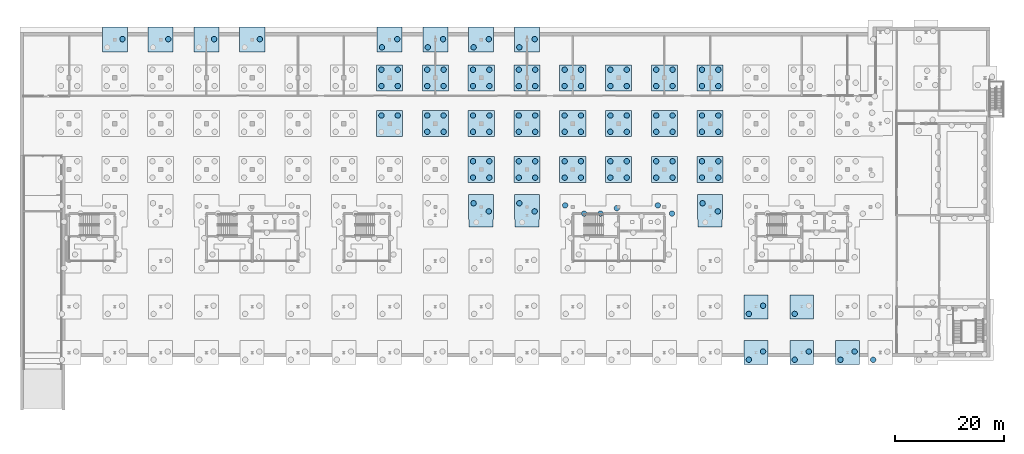
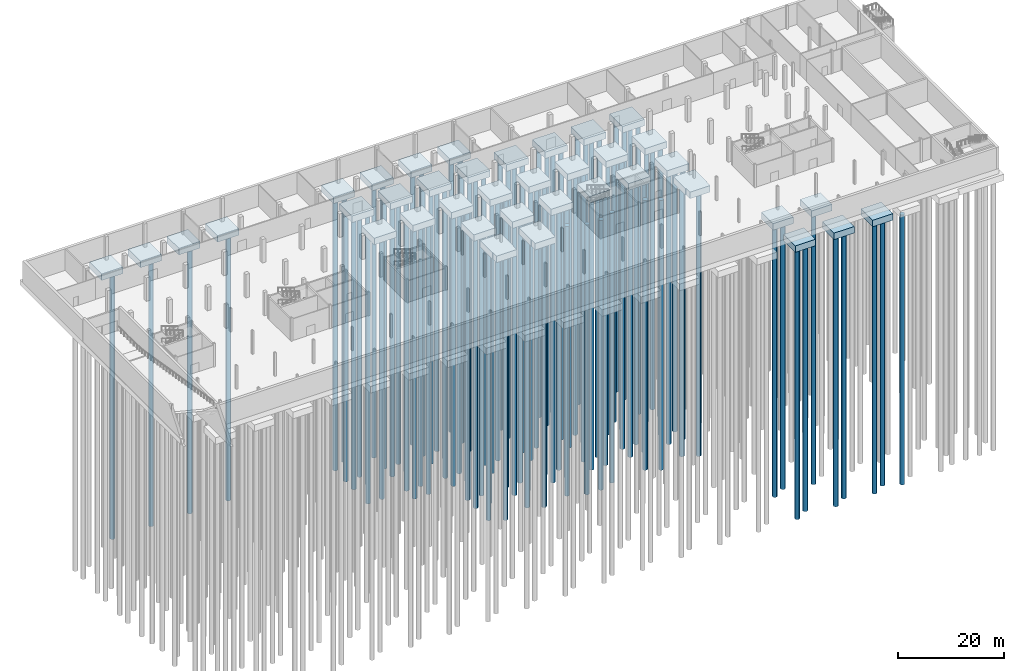
# One storey, part 3 of 29: 120 piles, 38 footings.
"""IFC4 building model written with IfcOpenShell, lengths in metres."""

from ifc_helpers import new_model, si_unit, direction, frame, origin, origin_2d, place, context, subcontext, project, spatial, polyline, circle, outline, extrude, material, type_object, element, save


model = new_model("IFC4")

# Units and contexts
model_context = context("Model", 3, precision=1e-05, world=origin(), true_north=direction((0.0, 1.0)))
body_context = subcontext(model_context, "Body", "Model", "MODEL_VIEW")
ifc_project = project(units=[si_unit("LENGTHUNIT", "METRE"), si_unit("AREAUNIT", "SQUARE_METRE"), si_unit("VOLUMEUNIT", "CUBIC_METRE"), si_unit("PLANEANGLEUNIT", "RADIAN"), si_unit("MASSUNIT", "GRAM", prefix="KILO")], contexts=[model_context])

# Site, building, storey
site_placement = place(None, origin())
site = spatial("IfcSite", under=ifc_project, at=site_placement, CompositionType="ELEMENT")
building_placement = place(site_placement, origin())
building = spatial("IfcBuilding", under=site, at=building_placement, Name="Cresset Court Congress Hotel", CompositionType="ELEMENT")
storey_placement = place(building_placement, frame((0.0, 0.0, -5.39990234375)))
storey = spatial("IfcBuildingStorey", under=building, at=storey_placement, Name="B1", CompositionType="ELEMENT", Elevation=-5.39990234375)

# Piles
ifc_material_1 = material(Name="Concrete C35", Category="concrete")
pile_type = type_object("IfcPileType", Name="Bored pile D1000", PredefinedType="BORED", material=ifc_material_1)
for number, where, z_axis, x_axis, name in (
    (1, (18.199951171875, 57.5, -2.60009765625), (0.0, 0.0, -1.0), (1.0, 0.0, 0.0), "Pile 010-2"),
    (2, (26.60009765625, 57.5, -2.60009765625), (0.0, 0.0, -1.0), (1.0, 0.0, 0.0), "Pile 017-2"),
    (3, (35.0, 57.5, -2.60009765625), (0.0, 0.0, -1.0), (1.0, 0.0, 0.0), "Pile 025-2"),
    (4, (43.39990234375, 57.5, -2.60009765625), (0.0, 0.0, -1.0), (1.0, 0.0, 0.0), "Pile 031-2"),
    (5, (65.699951171875, 43.5, -2.60009765625), (0.0, 0.0, -1.0), (1.0, 0.0, 0.0), "Pile 046-3"),
    (6, (68.699951171875, 43.5, -2.60009765625), (0.0, 0.0, -1.0), (1.0, 0.0, 0.0), "Pile 046-4"),
    (7, (65.699951171875, 48.89990234375, -2.60009765625), (0.0, 0.0, -1.0), (1.0, 0.0, 0.0), "Pile 047-1"),
    (8, (68.699951171875, 48.89990234375, -2.60009765625), (0.0, 0.0, -1.0), (1.0, 0.0, 0.0), "Pile 047-2"),
    (9, (65.699951171875, 51.89990234375, -2.60009765625), (0.0, 0.0, -1.0), (1.0, 0.0, 0.0), "Pile 047-3"),
    (10, (68.699951171875, 51.89990234375, -2.60009765625), (0.0, 0.0, -1.0), (1.0, 0.0, 0.0), "Pile 047-4"),
    (11, (65.800048828125, 56.0, -2.60009765625), (0.0, 0.0, -1.0), (1.0, 0.0, 0.0), "Pile 048-1"),
    (12, (68.60009765625, 57.5, -2.60009765625), (0.0, 0.0, -1.0), (1.0, 0.0, 0.0), "Pile 048-2"),
    (13, (74.10009765625, 40.5, -2.60009765625), (0.0, 0.0, -1.0), (1.0, 0.0, 0.0), "Pile 052-1"),
    (14, (77.10009765625, 40.5, -2.60009765625), (0.0, 0.0, -1.0), (1.0, 0.0, 0.0), "Pile 052-2"),
    (15, (74.10009765625, 43.5, -2.60009765625), (0.0, 0.0, -1.0), (1.0, 0.0, 0.0), "Pile 052-3"),
    (16, (77.10009765625, 43.5, -2.60009765625), (0.0, 0.0, -1.0), (1.0, 0.0, 0.0), "Pile 052-4"),
    (17, (74.10009765625, 48.89990234375, -2.60009765625), (0.0, 0.0, -1.0), (1.0, 0.0, 0.0), "Pile 053-1"),
    (18, (77.10009765625, 48.89990234375, -2.60009765625), (0.0, 0.0, -1.0), (1.0, 0.0, 0.0), "Pile 053-2"),
    (19, (74.10009765625, 51.89990234375, -2.60009765625), (0.0, 0.0, -1.0), (1.0, 0.0, 0.0), "Pile 053-3"),
    (20, (77.10009765625, 51.89990234375, -2.60009765625), (0.0, 0.0, -1.0), (1.0, 0.0, 0.0), "Pile 053-4"),
    (21, (74.199951171875, 56.0, -2.60009765625), (0.0, 0.0, -1.0), (1.0, 0.0, 0.0), "Pile 055-1"),
    (22, (77.0, 57.5, -2.60009765625), (0.0, 0.0, -1.0), (1.0, 0.0, 0.0), "Pile 055-2"),
    (23, (82.5, 32.10009765625, -2.60009765625), (0.0, 0.0, -1.0), (1.0, 0.0, 0.0), "Pile 059-1"),
    (24, (85.5, 32.10009765625, -2.60009765625), (0.0, 0.0, -1.0), (1.0, 0.0, 0.0), "Pile 059-2"),
    (25, (82.5, 35.10009765625, -2.60009765625), (0.0, 0.0, -1.0), (1.0, 0.0, 0.0), "Pile 059-3"),
    (26, (85.5, 35.10009765625, -2.60009765625), (0.0, 0.0, -1.0), (1.0, 0.0, 0.0), "Pile 059-4"),
    (27, (82.5, 40.5, -2.60009765625), (0.0, 0.0, -1.0), (1.0, 0.0, 0.0), "Pile 060-1"),
    (28, (85.5, 40.5, -2.60009765625), (0.0, 0.0, -1.0), (1.0, 0.0, 0.0), "Pile 060-2"),
    (29, (82.5, 43.5, -2.60009765625), (0.0, 0.0, -1.0), (1.0, 0.0, 0.0), "Pile 060-3"),
    (30, (85.5, 43.5, -2.60009765625), (0.0, 0.0, -1.0), (1.0, 0.0, 0.0), "Pile 060-4"),
    (31, (82.5, 48.89990234375, -2.60009765625), (0.0, 0.0, -1.0), (1.0, 0.0, 0.0), "Pile 061-1"),
    (32, (85.5, 48.89990234375, -2.60009765625), (0.0, 0.0, -1.0), (1.0, 0.0, 0.0), "Pile 061-2"),
    (33, (82.5, 51.89990234375, -2.60009765625), (0.0, 0.0, -1.0), (1.0, 0.0, 0.0), "Pile 061-3"),
    (34, (85.5, 51.89990234375, -2.60009765625), (0.0, 0.0, -1.0), (1.0, 0.0, 0.0), "Pile 061-4"),
    (35, (85.39990234375, 25.89990234375, -2.60009765625), (0.0, 0.0, -1.0), (1.0, 0.0, 0.0), "Pile 062-2"),
    (36, (82.60009765625, 27.39990234375, -2.60009765625), (0.0, 0.0, -1.0), (1.0, 0.0, 0.0), "Pile 062-3"),
    (37, (82.60009765625, 56.0, -2.60009765625), (0.0, 0.0, -1.0), (1.0, 0.0, 0.0), "Pile 063-1"),
    (38, (85.39990234375, 57.5, -2.60009765625), (0.0, 0.0, -1.0), (1.0, 0.0, 0.0), "Pile 063-2"),
    (39, (90.89990234375, 32.10009765625, -2.60009765625), (0.0, 0.0, -1.0), (1.0, 0.0, 0.0), "Pile 067-1"),
    (40, (93.89990234375, 32.10009765625, -2.60009765625), (0.0, 0.0, -1.0), (1.0, 0.0, 0.0), "Pile 067-2"),
    (41, (90.89990234375, 35.10009765625, -2.60009765625), (0.0, 0.0, -1.0), (1.0, 0.0, 0.0), "Pile 067-3"),
    (42, (93.89990234375, 35.10009765625, -2.60009765625), (0.0, 0.0, -1.0), (1.0, 0.0, 0.0), "Pile 067-4"),
    (43, (90.89990234375, 40.5, -2.60009765625), (0.0, 0.0, -1.0), (1.0, 0.0, 0.0), "Pile 068-1"),
    (44, (93.89990234375, 40.5, -2.60009765625), (0.0, 0.0, -1.0), (1.0, 0.0, 0.0), "Pile 068-2"),
    (45, (90.89990234375, 43.5, -2.60009765625), (0.0, 0.0, -1.0), (1.0, 0.0, 0.0), "Pile 068-3"),
    (46, (93.89990234375, 43.5, -2.60009765625), (0.0, 0.0, -1.0), (1.0, 0.0, 0.0), "Pile 068-4"),
    (47, (90.89990234375, 48.89990234375, -2.60009765625), (0.0, 0.0, -1.0), (1.0, 0.0, 0.0), "Pile 069-1"),
    (48, (93.89990234375, 48.89990234375, -2.60009765625), (0.0, 0.0, -1.0), (1.0, 0.0, 0.0), "Pile 069-2"),
    (49, (90.89990234375, 51.89990234375, -2.60009765625), (0.0, 0.0, -1.0), (1.0, 0.0, 0.0), "Pile 069-3"),
    (50, (93.89990234375, 51.89990234375, -2.60009765625), (0.0, 0.0, -1.0), (1.0, 0.0, 0.0), "Pile 069-4"),
    (51, (93.800048828125, 25.89990234375, -2.60009765625), (0.0, 0.0, -1.0), (1.0, 0.0, 0.0), "Pile 070-2"),
    (52, (91.0, 27.39990234375, -2.60009765625), (0.0, 0.0, -1.0), (1.0, 0.0, 0.0), "Pile 070-3"),
    (53, (91.0, 56.0, -2.60009765625), (0.0, 0.0, -1.0), (1.0, 0.0, 0.0), "Pile 071-1"),
    (54, (93.800048828125, 57.5, -2.60009765625), (0.0, 0.0, -1.0), (1.0, 0.0, 0.0), "Pile 071-2"),
    (55, (99.300048828125, 32.10009765625, -2.60009765625), (0.0, 0.0, -1.0), (1.0, 0.0, 0.0), "Pile 075-1"),
    (56, (102.300048828125, 32.10009765625, -2.60009765625), (0.0, 0.0, -1.0), (1.0, 0.0, 0.0), "Pile 075-2"),
    (57, (99.300048828125, 35.10009765625, -2.60009765625), (0.0, 0.0, -1.0), (1.0, 0.0, 0.0), "Pile 075-3"),
    (58, (102.300048828125, 35.10009765625, -2.60009765625), (0.0, 0.0, -1.0), (1.0, 0.0, 0.0), "Pile 075-4"),
    (59, (99.300048828125, 40.5, -2.60009765625), (0.0, 0.0, -1.0), (1.0, 0.0, 0.0), "Pile 076-1"),
    (60, (102.300048828125, 40.5, -2.60009765625), (0.0, 0.0, -1.0), (1.0, 0.0, 0.0), "Pile 076-2"),
    (61, (99.300048828125, 43.5, -2.60009765625), (0.0, 0.0, -1.0), (1.0, 0.0, 0.0), "Pile 076-3"),
    (62, (102.300048828125, 43.5, -2.60009765625), (0.0, 0.0, -1.0), (1.0, 0.0, 0.0), "Pile 076-4"),
    (63, (99.300048828125, 48.89990234375, -2.60009765625), (0.0, 0.0, -1.0), (1.0, 0.0, 0.0), "Pile 077-1"),
    (64, (102.300048828125, 48.89990234375, -2.60009765625), (0.0, 0.0, -1.0), (1.0, 0.0, 0.0), "Pile 077-2"),
    (65, (99.300048828125, 51.89990234375, -2.60009765625), (0.0, 0.0, -1.0), (1.0, 0.0, 0.0), "Pile 077-3"),
    (66, (102.300048828125, 51.89990234375, -2.60009765625), (0.0, 0.0, -1.0), (1.0, 0.0, 0.0), "Pile 077-4"),
    (67, (102.89990234375, 25.5, -2.60009765625), (0.0, 0.0, -1.0), (1.0, 0.0, 0.0), "Pile 078-16"),
    (68, (105.89990234375, 25.5, -2.60009765625), (0.0, 0.0, -1.0), (1.0, 0.0, 0.0), "Pile 078-17"),
    (69, (119.0, 25.5, -2.60009765625), (0.0, 0.0, -1.0), (1.0, 0.0, 0.0), "Pile 078-18"),
    (70, (108.89990234375, 26.5, -2.60009765625), (0.0, 0.0, -1.0), (1.0, 0.0, 0.0), "Pile 078-19"),
    (71, (99.39990234375, 27.0, -2.60009765625), (0.0, 0.0, -1.0), (1.0, 0.0, 0.0), "Pile 078-20"),
    (72, (116.39990234375, 27.0, -2.60009765625), (0.0, 0.0, -1.0), (1.0, 0.0, 0.0), "Pile 078-21"),
    (73, (107.699951171875, 32.10009765625, -2.60009765625), (0.0, 0.0, -1.0), (1.0, 0.0, 0.0), "Pile 081-1"),
    (74, (110.699951171875, 32.10009765625, -2.60009765625), (0.0, 0.0, -1.0), (1.0, 0.0, 0.0), "Pile 081-2"),
    (75, (107.699951171875, 35.10009765625, -2.60009765625), (0.0, 0.0, -1.0), (1.0, 0.0, 0.0), "Pile 081-3"),
    (76, (110.699951171875, 35.10009765625, -2.60009765625), (0.0, 0.0, -1.0), (1.0, 0.0, 0.0), "Pile 081-4"),
    (77, (107.699951171875, 40.5, -2.60009765625), (0.0, 0.0, -1.0), (1.0, 0.0, 0.0), "Pile 082-1"),
    (78, (110.699951171875, 40.5, -2.60009765625), (0.0, 0.0, -1.0), (1.0, 0.0, 0.0), "Pile 082-2"),
    (79, (107.699951171875, 43.5, -2.60009765625), (0.0, 0.0, -1.0), (1.0, 0.0, 0.0), "Pile 082-3"),
    (80, (110.699951171875, 43.5, -2.60009765625), (0.0, 0.0, -1.0), (1.0, 0.0, 0.0), "Pile 082-4"),
    (81, (107.699951171875, 48.89990234375, -2.60009765625), (0.0, 0.0, -1.0), (1.0, 0.0, 0.0), "Pile 083-1"),
    (82, (110.699951171875, 48.89990234375, -2.60009765625), (0.0, 0.0, -1.0), (1.0, 0.0, 0.0), "Pile 083-2"),
    (83, (107.699951171875, 51.89990234375, -2.60009765625), (0.0, 0.0, -1.0), (1.0, 0.0, 0.0), "Pile 083-3"),
    (84, (110.699951171875, 51.89990234375, -2.60009765625), (0.0, 0.0, -1.0), (1.0, 0.0, 0.0), "Pile 083-4"),
    (85, (116.10009765625, 32.10009765625, -2.60009765625), (0.0, 0.0, -1.0), (1.0, 0.0, 0.0), "Pile 086-1"),
    (86, (119.10009765625, 32.10009765625, -2.60009765625), (0.0, 0.0, -1.0), (1.0, 0.0, 0.0), "Pile 086-2"),
    (87, (116.10009765625, 35.10009765625, -2.60009765625), (0.0, 0.0, -1.0), (1.0, 0.0, 0.0), "Pile 086-3"),
    (88, (119.10009765625, 35.10009765625, -2.60009765625), (0.0, 0.0, -1.0), (1.0, 0.0, 0.0), "Pile 086-4"),
    (89, (116.10009765625, 40.5, -2.60009765625), (0.0, 0.0, -1.0), (1.0, 0.0, 0.0), "Pile 087-1"),
    (90, (119.10009765625, 40.5, -2.60009765625), (0.0, 0.0, -1.0), (1.0, 0.0, 0.0), "Pile 087-2"),
    (91, (116.10009765625, 43.5, -2.60009765625), (0.0, 0.0, -1.0), (1.0, 0.0, 0.0), "Pile 087-3"),
    (92, (119.10009765625, 43.5, -2.60009765625), (0.0, 0.0, -1.0), (1.0, 0.0, 0.0), "Pile 087-4"),
    (93, (116.10009765625, 48.89990234375, -2.60009765625), (0.0, 0.0, -1.0), (1.0, 0.0, 0.0), "Pile 088-1"),
    (94, (119.10009765625, 48.89990234375, -2.60009765625), (0.0, 0.0, -1.0), (1.0, 0.0, 0.0), "Pile 088-2"),
    (95, (116.10009765625, 51.89990234375, -2.60009765625), (0.0, 0.0, -1.0), (1.0, 0.0, 0.0), "Pile 088-3"),
    (96, (119.10009765625, 51.89990234375, -2.60009765625), (0.0, 0.0, -1.0), (1.0, 0.0, 0.0), "Pile 088-4"),
    (97, (124.5, 32.10009765625, -2.60009765625), (0.0, 0.0, -1.0), (1.0, 0.0, 0.0), "Pile 091-1"),
    (98, (127.5, 32.10009765625, -2.60009765625), (0.0, 0.0, -1.0), (1.0, 0.0, 0.0), "Pile 091-2"),
    (99, (124.5, 35.10009765625, -2.60009765625), (0.0, 0.0, -1.0), (1.0, 0.0, 0.0), "Pile 091-3"),
    (100, (127.5, 35.10009765625, -2.60009765625), (0.0, 0.0, -1.0), (1.0, 0.0, 0.0), "Pile 091-4"),
    (101, (124.5, 40.5, -2.60009765625), (0.0, 0.0, -1.0), (1.0, 0.0, 0.0), "Pile 092-1"),
    (102, (127.5, 40.5, -2.60009765625), (0.0, 0.0, -1.0), (1.0, 0.0, 0.0), "Pile 092-2"),
    (103, (124.5, 43.5, -2.60009765625), (0.0, 0.0, -1.0), (1.0, 0.0, 0.0), "Pile 092-3"),
    (104, (127.5, 43.5, -2.60009765625), (0.0, 0.0, -1.0), (1.0, 0.0, 0.0), "Pile 092-4"),
    (105, (124.5, 48.89990234375, -2.60009765625), (0.0, 0.0, -1.0), (1.0, 0.0, 0.0), "Pile 093-1"),
    (106, (127.5, 48.89990234375, -2.60009765625), (0.0, 0.0, -1.0), (1.0, 0.0, 0.0), "Pile 093-2"),
    (107, (124.5, 51.89990234375, -2.60009765625), (0.0, 0.0, -1.0), (1.0, 0.0, 0.0), "Pile 093-3"),
    (108, (127.5, 51.89990234375, -2.60009765625), (0.0, 0.0, -1.0), (1.0, 0.0, 0.0), "Pile 093-4"),
    (109, (127.39990234375, 25.89990234375, -2.60009765625), (0.0, 0.0, -1.0), (1.0, 0.0, 0.0), "Pile 094-2"),
    (110, (124.60009765625, 27.39990234375, -2.60009765625), (0.0, 0.0, -1.0), (1.0, 0.0, 0.0), "Pile 094-3"),
    (111, (133.10009765625, -1.300048828125, -2.60009765625), (0.0, 0.0, -1.0), (1.0, 0.0, 0.0), "Pile 102-1"),
    (112, (135.699951171875, 0.199951171875, -2.60009765625), (0.0, 0.0, -1.0), (1.0, 0.0, 0.0), "Pile 102-2"),
    (113, (133.10009765625, 7.10009765625, -2.60009765625), (0.0, 0.0, -1.0), (1.0, 0.0, 0.0), "Pile 103-1"),
    (114, (135.699951171875, 8.60009765625, -2.60009765625), (0.0, 0.0, -1.0), (1.0, 0.0, 0.0), "Pile 103-2"),
    (115, (141.5, -1.300048828125, -2.60009765625), (0.0, 0.0, -1.0), (1.0, 0.0, 0.0), "Pile 107-1"),
    (116, (144.10009765625, 0.199951171875, -2.60009765625), (0.0, 0.0, -1.0), (1.0, 0.0, 0.0), "Pile 107-2"),
    (117, (141.5, 7.10009765625, -2.60009765625), (0.0, 0.0, -1.0), (1.0, 0.0, 0.0), "Pile 108-1"),
    (118, (149.89990234375, -1.300048828125, -2.60009765625), (0.0, 0.0, -1.0), (1.0, 0.0, 0.0), "Pile 111-1"),
    (119, (152.5, 0.199951171875, -2.60009765625), (0.0, 0.0, -1.0), (1.0, 0.0, 0.0), "Pile 111-2"),
    (120, (155.896484375, -1.31396484375, -2.60009765625), (0.0, 0.0, -1.0), (1.0, 0.0, 0.0), "Pile 113-1"),
):
    element("IfcPile", number, at=place(storey_placement, frame(where, z_axis=z_axis, x_axis=x_axis)), inside=storey, type_object=pile_type, Name=name, PredefinedType="BORED", context=body_context, shape_type="SweptSolid", body=[
        extrude(circle(Radius=0.5, at=origin_2d()), origin(), (0.0, 0.0, 1.0), 62.0),
    ])

# Footings
ifc_material_2 = material(Name="Concrete C35", Category="concrete")
footing_type_1 = type_object("IfcFootingType", Name="Pile cap 4.4x4.4, 2 piles", PredefinedType="PILE_CAP", material=ifc_material_2)
footing_1_placement = place(storey_placement, frame((0.0, 0.0, -2.7001953125)))
element("IfcFooting", 121, at=footing_1_placement, inside=storey, type_object=footing_type_1, Name="Pile cap PC102", PredefinedType="PILE_CAP", context=body_context, shape_type="SweptSolid", body=[
    extrude(outline(polyline([(136.60009765625, -2.199951171875), (132.199951171875, -2.199951171875), (132.199951171875, 2.199951171875), (136.60009765625, 2.199951171875), (136.60009765625, -2.199951171875)])), origin(), (0.0, 0.0, 1.0), 1.5),
])
footing_2_placement = place(storey_placement, frame((0.0, 0.0, -2.7001953125)))
element("IfcFooting", 122, at=footing_2_placement, inside=storey, type_object=footing_type_1, Name="Pile cap PC103", PredefinedType="PILE_CAP", context=body_context, shape_type="SweptSolid", body=[
    extrude(outline(polyline([(136.60009765625, 10.60009765625), (136.60009765625, 6.199951171875), (132.199951171875, 6.199951171875), (132.199951171875, 10.60009765625), (136.60009765625, 10.60009765625)])), origin(), (0.0, 0.0, 1.0), 1.5),
])
footing_3_placement = place(storey_placement, frame((0.0, 0.0, -2.7001953125)))
element("IfcFooting", 123, at=footing_3_placement, inside=storey, type_object=footing_type_1, Name="Pile cap PC107", PredefinedType="PILE_CAP", context=body_context, shape_type="SweptSolid", body=[
    extrude(outline(polyline([(145.0, -2.199951171875), (140.60009765625, -2.199951171875), (140.60009765625, 2.199951171875), (145.0, 2.199951171875), (145.0, -2.199951171875)])), origin(), (0.0, 0.0, 1.0), 1.5),
])
footing_4_placement = place(storey_placement, frame((0.0, 0.0, -2.7001953125)))
element("IfcFooting", 124, at=footing_4_placement, inside=storey, type_object=footing_type_1, Name="Pile cap PC108", PredefinedType="PILE_CAP", context=body_context, shape_type="SweptSolid", body=[
    extrude(outline(polyline([(145.0, 10.60009765625), (145.0, 6.199951171875), (140.60009765625, 6.199951171875), (140.60009765625, 10.60009765625), (145.0, 10.60009765625)])), origin(), (0.0, 0.0, 1.0), 1.5),
])
footing_5_placement = place(storey_placement, frame((0.0, 0.0, -2.7001953125)))
element("IfcFooting", 125, at=footing_5_placement, inside=storey, type_object=footing_type_1, Name="Pile cap PC111", PredefinedType="PILE_CAP", context=body_context, shape_type="SweptSolid", body=[
    extrude(outline(polyline([(153.39990234375, -2.199951171875), (149.0, -2.199951171875), (149.0, 2.199951171875), (153.39990234375, 2.199951171875), (153.39990234375, -2.199951171875)])), origin(), (0.0, 0.0, 1.0), 1.5),
])
ifc_material_3 = material(Name="Concrete C35", Category="concrete")
footing_type_2 = type_object("IfcFootingType", Name="Pile cap 4.6x4.6, 2 piles", PredefinedType="PILE_CAP", material=ifc_material_3)
footing_6_placement = place(storey_placement, frame((0.0, 0.0, -2.7001953125)))
element("IfcFooting", 126, at=footing_6_placement, inside=storey, type_object=footing_type_2, Name="Pile cap PC010", PredefinedType="PILE_CAP", context=body_context, shape_type="SweptSolid", body=[
    extrude(outline(polyline([(19.10009765625, 55.10009765625), (14.5, 55.10009765625), (14.5, 59.699951171875), (19.10009765625, 59.699951171875), (19.10009765625, 55.10009765625)])), origin(), (0.0, 0.0, 1.0), 1.5),
])
footing_7_placement = place(storey_placement, frame((0.0, 0.0, -2.7001953125)))
element("IfcFooting", 127, at=footing_7_placement, inside=storey, type_object=footing_type_2, Name="Pile cap PC017", PredefinedType="PILE_CAP", context=body_context, shape_type="SweptSolid", body=[
    extrude(outline(polyline([(27.5, 55.10009765625), (22.89990234375, 55.10009765625), (22.89990234375, 59.699951171875), (27.5, 59.699951171875), (27.5, 55.10009765625)])), origin(), (0.0, 0.0, 1.0), 1.5),
])
footing_8_placement = place(storey_placement, frame((0.0, 0.0, -2.7001953125)))
element("IfcFooting", 128, at=footing_8_placement, inside=storey, type_object=footing_type_2, Name="Pile cap PC025", PredefinedType="PILE_CAP", context=body_context, shape_type="SweptSolid", body=[
    extrude(outline(polyline([(35.89990234375, 59.699951171875), (35.89990234375, 55.10009765625), (31.300048828125, 55.10009765625), (31.300048828125, 59.699951171875), (35.89990234375, 59.699951171875)])), origin(), (0.0, 0.0, 1.0), 1.5),
])
footing_9_placement = place(storey_placement, frame((0.0, 0.0, -2.7001953125)))
element("IfcFooting", 129, at=footing_9_placement, inside=storey, type_object=footing_type_2, Name="Pile cap PC031", PredefinedType="PILE_CAP", context=body_context, shape_type="SweptSolid", body=[
    extrude(outline(polyline([(44.300048828125, 55.10009765625), (39.699951171875, 55.10009765625), (39.699951171875, 59.699951171875), (44.300048828125, 59.699951171875), (44.300048828125, 55.10009765625)])), origin(), (0.0, 0.0, 1.0), 1.5),
])
footing_10_placement = place(storey_placement, frame((0.0, 0.0, -2.7001953125)))
element("IfcFooting", 130, at=footing_10_placement, inside=storey, type_object=footing_type_2, Name="Pile cap PC048", PredefinedType="PILE_CAP", context=body_context, shape_type="SweptSolid", body=[
    extrude(outline(polyline([(69.5, 55.10009765625), (64.89990234375, 55.10009765625), (64.89990234375, 59.699951171875), (69.5, 59.699951171875), (69.5, 55.10009765625)])), origin(), (0.0, 0.0, 1.0), 1.5),
])
footing_11_placement = place(storey_placement, frame((0.0, 0.0, -2.7001953125)))
element("IfcFooting", 131, at=footing_11_placement, inside=storey, type_object=footing_type_2, Name="Pile cap PC055", PredefinedType="PILE_CAP", context=body_context, shape_type="SweptSolid", body=[
    extrude(outline(polyline([(77.89990234375, 55.10009765625), (73.300048828125, 55.10009765625), (73.300048828125, 59.699951171875), (77.89990234375, 59.699951171875), (77.89990234375, 55.10009765625)])), origin(), (0.0, 0.0, 1.0), 1.5),
])
footing_12_placement = place(storey_placement, frame((0.0, 0.0, -2.7001953125)))
element("IfcFooting", 132, at=footing_12_placement, inside=storey, type_object=footing_type_2, Name="Pile cap PC063", PredefinedType="PILE_CAP", context=body_context, shape_type="SweptSolid", body=[
    extrude(outline(polyline([(86.300048828125, 55.10009765625), (81.699951171875, 55.10009765625), (81.699951171875, 59.699951171875), (86.300048828125, 59.699951171875), (86.300048828125, 55.10009765625)])), origin(), (0.0, 0.0, 1.0), 1.5),
])
footing_13_placement = place(storey_placement, frame((0.0, 0.0, -2.7001953125)))
element("IfcFooting", 133, at=footing_13_placement, inside=storey, type_object=footing_type_2, Name="Pile cap PC071", PredefinedType="PILE_CAP", context=body_context, shape_type="SweptSolid", body=[
    extrude(outline(polyline([(94.699951171875, 59.699951171875), (94.699951171875, 55.10009765625), (90.10009765625, 55.10009765625), (90.10009765625, 59.699951171875), (94.699951171875, 59.699951171875)])), origin(), (0.0, 0.0, 1.0), 1.5),
])
ifc_material_4 = material(Name="Concrete C35", Category="concrete")
footing_type_3 = type_object("IfcFootingType", Name="Pile cap 4.8x4.8, 4 piles", PredefinedType="PILE_CAP", material=ifc_material_4)
footing_14_placement = place(storey_placement, frame((0.0, 0.0, -2.7001953125)))
element("IfcFooting", 134, at=footing_14_placement, inside=storey, type_object=footing_type_3, Name="Pile cap PC046", PredefinedType="PILE_CAP", context=body_context, shape_type="SweptSolid", body=[
    extrude(outline(polyline([(69.60009765625, 39.60009765625), (64.800048828125, 39.60009765625), (64.800048828125, 44.39990234375), (69.60009765625, 44.39990234375), (69.60009765625, 39.60009765625)])), origin(), (0.0, 0.0, 1.0), 1.5),
])
footing_15_placement = place(storey_placement, frame((0.0, 0.0, -2.7001953125)))
element("IfcFooting", 135, at=footing_15_placement, inside=storey, type_object=footing_type_3, Name="Pile cap PC047", PredefinedType="PILE_CAP", context=body_context, shape_type="SweptSolid", body=[
    extrude(outline(polyline([(69.60009765625, 52.800048828125), (69.60009765625, 48.0), (64.800048828125, 48.0), (64.800048828125, 52.800048828125), (69.60009765625, 52.800048828125)])), origin(), (0.0, 0.0, 1.0), 1.5),
])
footing_16_placement = place(storey_placement, frame((0.0, 0.0, -2.7001953125)))
element("IfcFooting", 136, at=footing_16_placement, inside=storey, type_object=footing_type_3, Name="Pile cap PC052", PredefinedType="PILE_CAP", context=body_context, shape_type="SweptSolid", body=[
    extrude(outline(polyline([(78.0, 39.60009765625), (73.199951171875, 39.60009765625), (73.199951171875, 44.39990234375), (78.0, 44.39990234375), (78.0, 39.60009765625)])), origin(), (0.0, 0.0, 1.0), 1.5),
])
footing_17_placement = place(storey_placement, frame((0.0, 0.0, -2.7001953125)))
element("IfcFooting", 137, at=footing_17_placement, inside=storey, type_object=footing_type_3, Name="Pile cap PC053", PredefinedType="PILE_CAP", context=body_context, shape_type="SweptSolid", body=[
    extrude(outline(polyline([(78.0, 48.0), (73.199951171875, 48.0), (73.199951171875, 52.800048828125), (78.0, 52.800048828125), (78.0, 48.0)])), origin(), (0.0, 0.0, 1.0), 1.5),
])
footing_18_placement = place(storey_placement, frame((0.0, 0.0, -2.7001953125)))
element("IfcFooting", 138, at=footing_18_placement, inside=storey, type_object=footing_type_3, Name="Pile cap PC059", PredefinedType="PILE_CAP", context=body_context, shape_type="SweptSolid", body=[
    extrude(outline(polyline([(86.39990234375, 31.199951171875), (81.60009765625, 31.199951171875), (81.60009765625, 36.0), (86.39990234375, 36.0), (86.39990234375, 31.199951171875)])), origin(), (0.0, 0.0, 1.0), 1.5),
])
footing_19_placement = place(storey_placement, frame((0.0, 0.0, -2.7001953125)))
element("IfcFooting", 139, at=footing_19_placement, inside=storey, type_object=footing_type_3, Name="Pile cap PC060", PredefinedType="PILE_CAP", context=body_context, shape_type="SweptSolid", body=[
    extrude(outline(polyline([(86.39990234375, 39.60009765625), (81.60009765625, 39.60009765625), (81.60009765625, 44.39990234375), (86.39990234375, 44.39990234375), (86.39990234375, 39.60009765625)])), origin(), (0.0, 0.0, 1.0), 1.5),
])
footing_20_placement = place(storey_placement, frame((0.0, 0.0, -2.7001953125)))
element("IfcFooting", 140, at=footing_20_placement, inside=storey, type_object=footing_type_3, Name="Pile cap PC061", PredefinedType="PILE_CAP", context=body_context, shape_type="SweptSolid", body=[
    extrude(outline(polyline([(86.39990234375, 48.0), (81.60009765625, 48.0), (81.60009765625, 52.800048828125), (86.39990234375, 52.800048828125), (86.39990234375, 48.0)])), origin(), (0.0, 0.0, 1.0), 1.5),
])
footing_21_placement = place(storey_placement, frame((0.0, 0.0, -2.7001953125)))
element("IfcFooting", 141, at=footing_21_placement, inside=storey, type_object=footing_type_3, Name="Pile cap PC067", PredefinedType="PILE_CAP", context=body_context, shape_type="SweptSolid", body=[
    extrude(outline(polyline([(94.800048828125, 36.0), (94.800048828125, 31.199951171875), (90.0, 31.199951171875), (90.0, 36.0), (94.800048828125, 36.0)])), origin(), (0.0, 0.0, 1.0), 1.5),
])
footing_22_placement = place(storey_placement, frame((0.0, 0.0, -2.7001953125)))
element("IfcFooting", 142, at=footing_22_placement, inside=storey, type_object=footing_type_3, Name="Pile cap PC068", PredefinedType="PILE_CAP", context=body_context, shape_type="SweptSolid", body=[
    extrude(outline(polyline([(94.800048828125, 39.60009765625), (90.0, 39.60009765625), (90.0, 44.39990234375), (94.800048828125, 44.39990234375), (94.800048828125, 39.60009765625)])), origin(), (0.0, 0.0, 1.0), 1.5),
])
footing_23_placement = place(storey_placement, frame((0.0, 0.0, -2.7001953125)))
element("IfcFooting", 143, at=footing_23_placement, inside=storey, type_object=footing_type_3, Name="Pile cap PC069", PredefinedType="PILE_CAP", context=body_context, shape_type="SweptSolid", body=[
    extrude(outline(polyline([(94.800048828125, 52.800048828125), (94.800048828125, 48.0), (90.0, 48.0), (90.0, 52.800048828125), (94.800048828125, 52.800048828125)])), origin(), (0.0, 0.0, 1.0), 1.5),
])
footing_24_placement = place(storey_placement, frame((0.0, 0.0, -2.7001953125)))
element("IfcFooting", 144, at=footing_24_placement, inside=storey, type_object=footing_type_3, Name="Pile cap PC075", PredefinedType="PILE_CAP", context=body_context, shape_type="SweptSolid", body=[
    extrude(outline(polyline([(103.199951171875, 31.199951171875), (98.39990234375, 31.199951171875), (98.39990234375, 36.0), (103.199951171875, 36.0), (103.199951171875, 31.199951171875)])), origin(), (0.0, 0.0, 1.0), 1.5),
])
footing_25_placement = place(storey_placement, frame((0.0, 0.0, -2.7001953125)))
element("IfcFooting", 145, at=footing_25_placement, inside=storey, type_object=footing_type_3, Name="Pile cap PC076", PredefinedType="PILE_CAP", context=body_context, shape_type="SweptSolid", body=[
    extrude(outline(polyline([(103.199951171875, 44.39990234375), (103.199951171875, 39.60009765625), (98.39990234375, 39.60009765625), (98.39990234375, 44.39990234375), (103.199951171875, 44.39990234375)])), origin(), (0.0, 0.0, 1.0), 1.5),
])
footing_26_placement = place(storey_placement, frame((0.0, 0.0, -2.7001953125)))
element("IfcFooting", 146, at=footing_26_placement, inside=storey, type_object=footing_type_3, Name="Pile cap PC077", PredefinedType="PILE_CAP", context=body_context, shape_type="SweptSolid", body=[
    extrude(outline(polyline([(103.199951171875, 48.0), (98.39990234375, 48.0), (98.39990234375, 52.800048828125), (103.199951171875, 52.800048828125), (103.199951171875, 48.0)])), origin(), (0.0, 0.0, 1.0), 1.5),
])
footing_27_placement = place(storey_placement, frame((0.0, 0.0, -2.7001953125)))
element("IfcFooting", 147, at=footing_27_placement, inside=storey, type_object=footing_type_3, Name="Pile cap PC081", PredefinedType="PILE_CAP", context=body_context, shape_type="SweptSolid", body=[
    extrude(outline(polyline([(111.60009765625, 31.199951171875), (106.800048828125, 31.199951171875), (106.800048828125, 36.0), (111.60009765625, 36.0), (111.60009765625, 31.199951171875)])), origin(), (0.0, 0.0, 1.0), 1.5),
])
footing_28_placement = place(storey_placement, frame((0.0, 0.0, -2.7001953125)))
element("IfcFooting", 148, at=footing_28_placement, inside=storey, type_object=footing_type_3, Name="Pile cap PC082", PredefinedType="PILE_CAP", context=body_context, shape_type="SweptSolid", body=[
    extrude(outline(polyline([(111.60009765625, 39.60009765625), (106.800048828125, 39.60009765625), (106.800048828125, 44.39990234375), (111.60009765625, 44.39990234375), (111.60009765625, 39.60009765625)])), origin(), (0.0, 0.0, 1.0), 1.5),
])
footing_29_placement = place(storey_placement, frame((0.0, 0.0, -2.7001953125)))
element("IfcFooting", 149, at=footing_29_placement, inside=storey, type_object=footing_type_3, Name="Pile cap PC083", PredefinedType="PILE_CAP", context=body_context, shape_type="SweptSolid", body=[
    extrude(outline(polyline([(111.60009765625, 48.0), (106.800048828125, 48.0), (106.800048828125, 52.800048828125), (111.60009765625, 52.800048828125), (111.60009765625, 48.0)])), origin(), (0.0, 0.0, 1.0), 1.5),
])
footing_30_placement = place(storey_placement, frame((0.0, 0.0, -2.7001953125)))
element("IfcFooting", 150, at=footing_30_placement, inside=storey, type_object=footing_type_3, Name="Pile cap PC086", PredefinedType="PILE_CAP", context=body_context, shape_type="SweptSolid", body=[
    extrude(outline(polyline([(120.0, 31.199951171875), (115.199951171875, 31.199951171875), (115.199951171875, 36.0), (120.0, 36.0), (120.0, 31.199951171875)])), origin(), (0.0, 0.0, 1.0), 1.5),
])
footing_31_placement = place(storey_placement, frame((0.0, 0.0, -2.7001953125)))
element("IfcFooting", 151, at=footing_31_placement, inside=storey, type_object=footing_type_3, Name="Pile cap PC087", PredefinedType="PILE_CAP", context=body_context, shape_type="SweptSolid", body=[
    extrude(outline(polyline([(120.0, 39.60009765625), (115.199951171875, 39.60009765625), (115.199951171875, 44.39990234375), (120.0, 44.39990234375), (120.0, 39.60009765625)])), origin(), (0.0, 0.0, 1.0), 1.5),
])
footing_32_placement = place(storey_placement, frame((0.0, 0.0, -2.7001953125)))
element("IfcFooting", 152, at=footing_32_placement, inside=storey, type_object=footing_type_3, Name="Pile cap PC088", PredefinedType="PILE_CAP", context=body_context, shape_type="SweptSolid", body=[
    extrude(outline(polyline([(120.0, 48.0), (115.199951171875, 48.0), (115.199951171875, 52.800048828125), (120.0, 52.800048828125), (120.0, 48.0)])), origin(), (0.0, 0.0, 1.0), 1.5),
])
footing_33_placement = place(storey_placement, frame((0.0, 0.0, -2.7001953125)))
element("IfcFooting", 153, at=footing_33_placement, inside=storey, type_object=footing_type_3, Name="Pile cap PC091", PredefinedType="PILE_CAP", context=body_context, shape_type="SweptSolid", body=[
    extrude(outline(polyline([(128.39990234375, 36.0), (128.39990234375, 31.199951171875), (123.60009765625, 31.199951171875), (123.60009765625, 36.0), (128.39990234375, 36.0)])), origin(), (0.0, 0.0, 1.0), 1.5),
])
footing_34_placement = place(storey_placement, frame((0.0, 0.0, -2.7001953125)))
element("IfcFooting", 154, at=footing_34_placement, inside=storey, type_object=footing_type_3, Name="Pile cap PC092", PredefinedType="PILE_CAP", context=body_context, shape_type="SweptSolid", body=[
    extrude(outline(polyline([(128.39990234375, 39.60009765625), (123.60009765625, 39.60009765625), (123.60009765625, 44.39990234375), (128.39990234375, 44.39990234375), (128.39990234375, 39.60009765625)])), origin(), (0.0, 0.0, 1.0), 1.5),
])
footing_35_placement = place(storey_placement, frame((0.0, 0.0, -2.7001953125)))
element("IfcFooting", 155, at=footing_35_placement, inside=storey, type_object=footing_type_3, Name="Pile cap PC093", PredefinedType="PILE_CAP", context=body_context, shape_type="SweptSolid", body=[
    extrude(outline(polyline([(128.39990234375, 48.0), (123.60009765625, 48.0), (123.60009765625, 52.800048828125), (128.39990234375, 52.800048828125), (128.39990234375, 48.0)])), origin(), (0.0, 0.0, 1.0), 1.5),
])
ifc_material_5 = material(Name="Concrete C35", Category="concrete")
footing_type_4 = type_object("IfcFootingType", Name="Pile cap group 27.3 m2, 3 piles", PredefinedType="PILE_CAP", material=ifc_material_5)
footing_36_placement = place(storey_placement, frame((0.0, 0.0, -2.7001953125)))
element("IfcFooting", 156, at=footing_36_placement, inside=storey, type_object=footing_type_4, Name="Pile cap PC062", PredefinedType="PILE_CAP", context=body_context, shape_type="SweptSolid", body=[
    extrude(outline(polyline([(86.199951171875, 23.0), (81.800048828125, 23.0), (81.800048828125, 24.39990234375), (81.699951171875, 24.39990234375), (81.699951171875, 29.0), (86.300048828125, 29.0), (86.300048828125, 24.39990234375), (86.199951171875, 24.39990234375), (86.199951171875, 23.0)])), origin(), (0.0, 0.0, 1.0), 1.5),
])
footing_37_placement = place(storey_placement, frame((0.0, 0.0, -2.7001953125)))
element("IfcFooting", 157, at=footing_37_placement, inside=storey, type_object=footing_type_4, Name="Pile cap PC070", PredefinedType="PILE_CAP", context=body_context, shape_type="SweptSolid", body=[
    extrude(outline(polyline([(94.60009765625, 24.39990234375), (94.60009765625, 23.0), (90.199951171875, 23.0), (90.199951171875, 24.39990234375), (90.10009765625, 24.39990234375), (90.10009765625, 29.0), (94.699951171875, 29.0), (94.699951171875, 24.39990234375), (94.60009765625, 24.39990234375)])), origin(), (0.0, 0.0, 1.0), 1.5),
])
footing_38_placement = place(storey_placement, frame((0.0, 0.0, -2.7001953125)))
element("IfcFooting", 158, at=footing_38_placement, inside=storey, type_object=footing_type_4, Name="Pile cap PC094", PredefinedType="PILE_CAP", context=body_context, shape_type="SweptSolid", body=[
    extrude(outline(polyline([(123.699951171875, 29.0), (128.300048828125, 29.0), (128.300048828125, 24.39990234375), (128.199951171875, 24.39990234375), (128.199951171875, 23.0), (123.800048828125, 23.0), (123.800048828125, 24.39990234375), (123.699951171875, 24.39990234375), (123.699951171875, 29.0)])), origin(), (0.0, 0.0, 1.0), 1.5),
])

save(model, "model.ifc")
